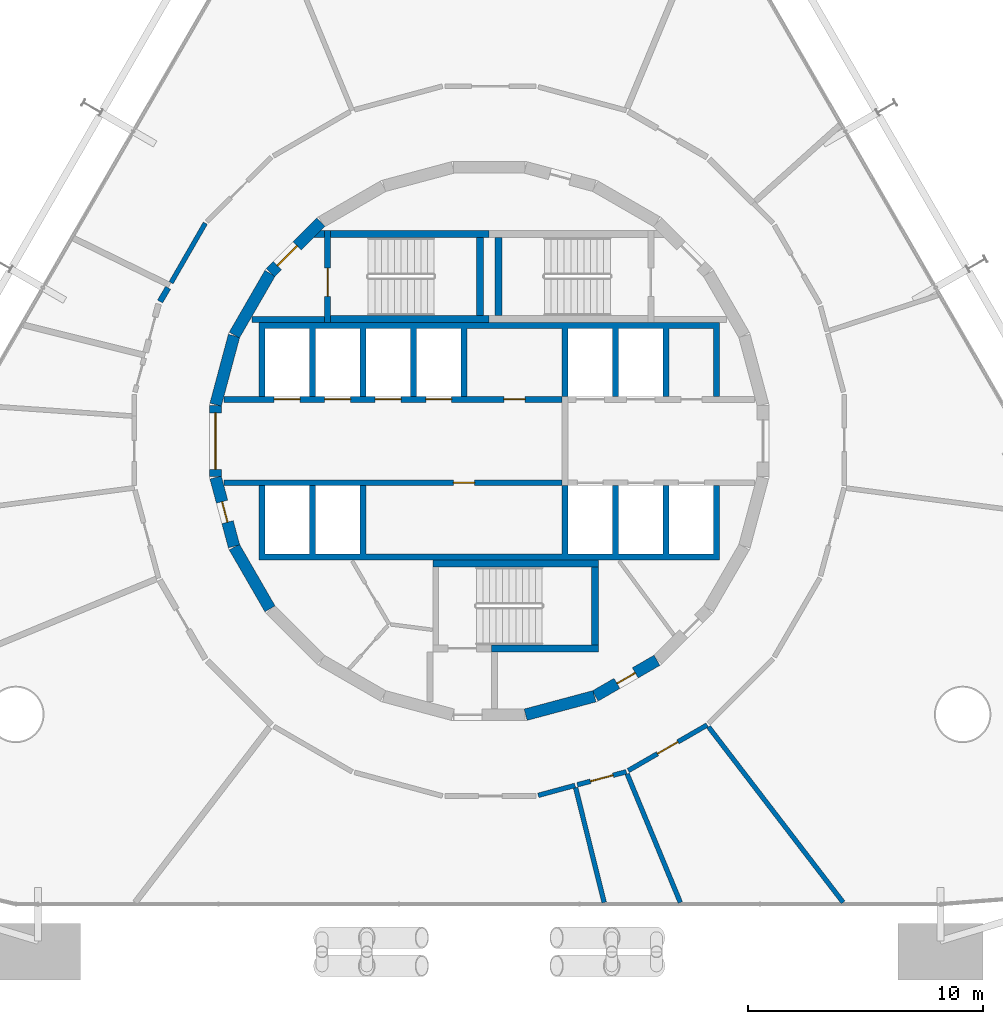
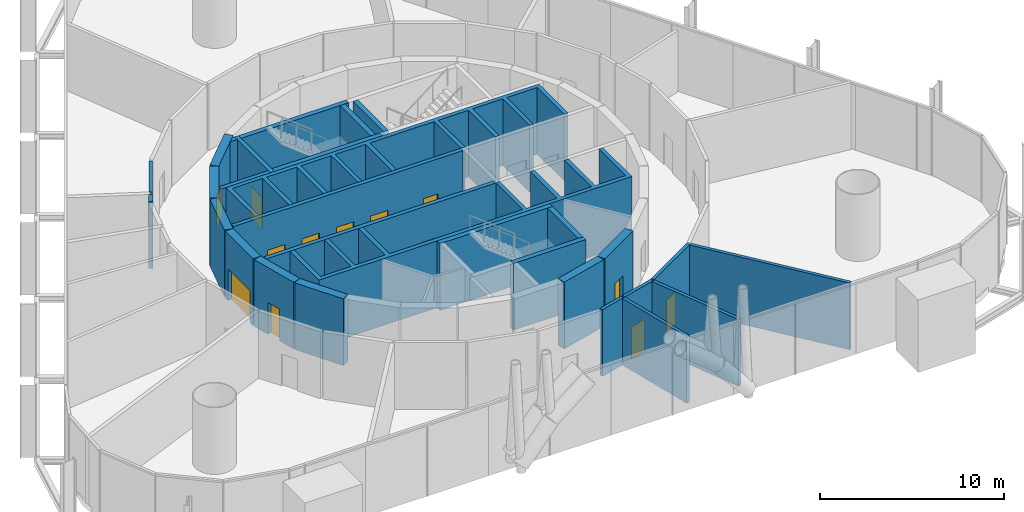
# One storey, part 14 of 17: 30 walls, 13 doors, 13 openings.
"""IFC4 building model written with IfcOpenShell, lengths in metres."""

from ifc_helpers import new_model, si_unit, direction, frame, frame_2d, origin, place, context, subcontext, project, spatial, polyline, rectangle, outline, extrude, material, layer, layer_set, type_object, element, fill, save


model = new_model("IFC4")

# Units and contexts
model_context = context("Model", 3, precision=1e-05, world=origin(), true_north=direction((0.0, 1.0)))
body_context = subcontext(model_context, "Body", "Model", "MODEL_VIEW")
ifc_project = project(units=[si_unit("LENGTHUNIT", "METRE"), si_unit("AREAUNIT", "SQUARE_METRE"), si_unit("VOLUMEUNIT", "CUBIC_METRE"), si_unit("PLANEANGLEUNIT", "RADIAN"), si_unit("MASSUNIT", "GRAM", prefix="KILO")], contexts=[model_context])

# Site, building, storey
site_placement = place(None, origin())
site = spatial("IfcSite", under=ifc_project, at=site_placement, CompositionType="ELEMENT")
building_placement = place(site_placement, origin())
building = spatial("IfcBuilding", under=site, at=building_placement, Name="Spindle Arch Residences", CompositionType="ELEMENT")
storey_placement = place(building_placement, frame((0.0, 0.0, 23.39990234375)))
storey = spatial("IfcBuildingStorey", under=building, at=storey_placement, Name="L04", CompositionType="ELEMENT", Elevation=23.39990234375)

# Wall
ifc_material_1 = material(Name="Concrete C50/60", Category="concrete")
ifc_layer_1 = layer(ifc_material_1, 0.5)
ifc_layer_set_1 = layer_set([ifc_layer_1], Name="Core outline wall 500")
wall_type_1 = type_object("IfcWallType", Name="Core outline wall 500", PredefinedType="SHEAR", material=ifc_layer_set_1)
wall_1_placement = place(storey_placement, frame((1.5498046875, -11.642822265625, 0.0), z_axis=(0.0, 0.0, 1.0), x_axis=(0.965948410781, 0.258734743916, 0.0)))
element("IfcWall", 1, at=wall_1_placement, inside=storey, type_object=wall_type_1, Name="Core outline wall 1", PredefinedType="SHEAR", context=body_context, shape_type="SweptSolid", body=[
    extrude(rectangle(XDim=3.03271484375, YDim=0.5, at=frame_2d((1.516357421875, 0.0))), origin(), (0.0, 0.0, 1.0), 4.420166015625),
])

# Wall, opening, door
wall_2_placement = place(storey_placement, frame((4.510498046875, -10.84521484375, 0.0), z_axis=(0.0, 0.0, 1.0), x_axis=(0.865975092491, 0.500087131594, 0.0)))
wall_2 = element("IfcWall", 2, at=wall_2_placement, inside=storey, type_object=wall_type_1, Name="Core outline wall 2", PredefinedType="SHEAR", context=body_context, shape_type="SweptSolid", body=[
    extrude(rectangle(XDim=3.03271484375, YDim=0.5, at=frame_2d((1.516357421875, 0.0))), origin(), (0.0, 0.0, 1.0), 4.420166015625),
])
opening_1_placement = place(wall_2_placement, frame((1.06640625, 0.0, 0.0)))
opening_1 = element("IfcOpeningElement", 3, at=opening_1_placement, cuts=wall_2, Name="Opening L04-WD06", PredefinedType="OPENING", context=body_context, shape_type="SweptSolid", body=[
    extrude(rectangle(XDim=0.89990234375, YDim=2.10009765625, at=frame_2d((0.449951171875, 1.050048828125))), frame((0.0, 0.260009765625, 0.0), z_axis=(0.0, -1.0, 0.0), x_axis=(1.0, 0.0, 0.0)), (0.0, 0.0, 1.0), 0.52001953125),
])
ifc_material_2 = material(Name="Steel, fire-resisting door", Category="steel")
door_type_1 = type_object("IfcDoorType", Name="Service room door 900x2100", OperationType="SINGLE_SWING_LEFT", PredefinedType="DOOR", material=ifc_material_2)
door_1_placement = place(opening_1_placement, origin())
door_1 = element("IfcDoor", 4, at=door_1_placement, inside=storey, type_object=door_type_1, Name="Service room door L04-WD06", OperationType="SINGLE_SWING_LEFT", OverallHeight=2.10009765625, OverallWidth=0.89990234375, PredefinedType="DOOR", context=body_context, shape_type="SweptSolid", body=[
    extrude(rectangle(XDim=0.89990234375, YDim=2.10009765625, at=frame_2d((0.449951171875, 1.050048828125))), frame((0.0, 0.02490234375, 0.0), z_axis=(0.0, -1.0, 0.0), x_axis=(1.0, 0.0, 0.0)), (0.0, 0.0, 1.0), 0.050048828125),
])
fill(opening_1, door_1)

wall_3_placement = place(storey_placement, frame((-7.163818359375, 9.30810546875, 0.0), z_axis=(0.0, 0.0, 1.0), x_axis=(-0.707106781187, -0.707106781187, 0.0)))
wall_3 = element("IfcWall", 5, at=wall_3_placement, inside=storey, type_object=wall_type_1, Name="Core outline wall 15", PredefinedType="SHEAR", context=body_context, shape_type="SweptSolid", body=[
    extrude(rectangle(XDim=3.032470703125, YDim=0.5, at=frame_2d((1.51611328125, 0.0))), origin(), (0.0, 0.0, 1.0), 4.420166015625),
])
opening_2_placement = place(wall_3_placement, frame((1.416259765625, 0.0, 0.0)))
opening_2 = element("IfcOpeningElement", 6, at=opening_2_placement, cuts=wall_3, Name="Opening L04-AD02", PredefinedType="OPENING", context=body_context, shape_type="SweptSolid", body=[
    extrude(rectangle(XDim=1.199951171875, YDim=2.10009765625, at=frame_2d((0.60009765625, 1.050048828125))), frame((0.0, 0.260009765625, 0.0), z_axis=(0.0, -1.0, 0.0), x_axis=(1.0, 0.0, 0.0)), (0.0, 0.0, 1.0), 0.52001953125),
])
ifc_material_3 = material(Name="Steel, fire-resisting door", Category="steel")
door_type_2 = type_object("IfcDoorType", Name="Stair airlock door 1200x2100", OperationType="SINGLE_SWING_LEFT", PredefinedType="DOOR", material=ifc_material_3)
door_2_placement = place(opening_2_placement, origin())
door_2 = element("IfcDoor", 7, at=door_2_placement, inside=storey, type_object=door_type_2, Name="Stair airlock door L04-AD02", OperationType="SINGLE_SWING_RIGHT", OverallHeight=2.10009765625, OverallWidth=1.199951171875, PredefinedType="DOOR", context=body_context, shape_type="SweptSolid", body=[
    extrude(rectangle(XDim=1.199951171875, YDim=2.10009765625, at=frame_2d((0.60009765625, 1.050048828125))), frame((0.0, 0.02490234375, 0.0), z_axis=(0.0, -1.0, 0.0), x_axis=(1.0, 0.0, 0.0)), (0.0, 0.0, 1.0), 0.050048828125),
])
fill(opening_2, door_2)

# Walls
for number, where, z_axis, x_axis, name in (
    (8, (-9.32861328125, 7.13671875, 0.0), (0.0, 0.0, 1.0), (-0.500087131594, -0.865975092491, 0.0), "Core outline wall 16"),
    (9, (-10.858154296875, 4.479248046875, 0.0), (0.0, 0.0, 1.0), (-0.258734743916, -0.965948410781, 0.0), "Core outline wall 17"),
):
    element("IfcWall", number, at=place(storey_placement, frame(where, z_axis=z_axis, x_axis=x_axis)), inside=storey, type_object=wall_type_1, Name=name, PredefinedType="SHEAR", context=body_context, shape_type="SweptSolid", body=[
        extrude(rectangle(XDim=3.03271484375, YDim=0.5, at=frame_2d((1.516357421875, 0.0))), origin(), (0.0, 0.0, 1.0), 4.420166015625),
    ])

# Wall, opening, door
wall_4_placement = place(storey_placement, frame((-11.647216796875, 1.516357421875, 0.0), z_axis=(0.0, 0.0, 1.0), x_axis=(0.0, -1.0, 0.0)))
wall_4 = element("IfcWall", 10, at=wall_4_placement, inside=storey, type_object=wall_type_1, Name="Core outline wall 18", PredefinedType="SHEAR", context=body_context, shape_type="SweptSolid", body=[
    extrude(rectangle(XDim=3.03271484375, YDim=0.5, at=frame_2d((1.516357421875, 0.0))), origin(), (0.0, 0.0, 1.0), 4.420166015625),
])
opening_3_placement = place(wall_4_placement, frame((0.31640625, 0.0, 0.0)))
opening_3 = element("IfcOpeningElement", 11, at=opening_3_placement, cuts=wall_4, Name="Opening L04-LE01", PredefinedType="OPENING", context=body_context, shape_type="SweptSolid", body=[
    extrude(rectangle(XDim=2.39990234375, YDim=2.10009765625, at=frame_2d((1.199951171875, 1.050048828125))), frame((0.0, 0.260009765625, 0.0), z_axis=(0.0, -1.0, 0.0), x_axis=(1.0, 0.0, 0.0)), (0.0, 0.0, 1.0), 0.52001953125),
])
ifc_material_4 = material(Name="Steel, fire-resisting door", Category="steel")
door_type_3 = type_object("IfcDoorType", Name="Lift lobby entrance door 2400x2100", OperationType="DOUBLE_DOOR_SINGLE_SWING", PredefinedType="DOOR", material=ifc_material_4)
door_3_placement = place(opening_3_placement, origin())
door_3 = element("IfcDoor", 12, at=door_3_placement, inside=storey, type_object=door_type_3, Name="Lift lobby entrance door L04-LE01", OperationType="DOUBLE_DOOR_SINGLE_SWING", OverallHeight=2.10009765625, OverallWidth=2.39990234375, PredefinedType="DOOR", context=body_context, shape_type="SweptSolid", body=[
    extrude(rectangle(XDim=2.39990234375, YDim=2.10009765625, at=frame_2d((1.199951171875, 1.050048828125))), frame((0.0, 0.02490234375, 0.0), z_axis=(0.0, -1.0, 0.0), x_axis=(1.0, 0.0, 0.0)), (0.0, 0.0, 1.0), 0.050048828125),
])
fill(opening_3, door_3)

wall_5_placement = place(storey_placement, frame((-11.642822265625, -1.5498046875, 0.0), z_axis=(0.0, 0.0, 1.0), x_axis=(0.258734743916, -0.965948410781, 0.0)))
wall_5 = element("IfcWall", 13, at=wall_5_placement, inside=storey, type_object=wall_type_1, Name="Core outline wall 19", PredefinedType="SHEAR", context=body_context, shape_type="SweptSolid", body=[
    extrude(rectangle(XDim=3.03271484375, YDim=0.5, at=frame_2d((1.516357421875, 0.0))), origin(), (0.0, 0.0, 1.0), 4.420166015625),
])
opening_4_placement = place(wall_5_placement, frame((1.06640625, 0.0, 0.0)))
opening_4 = element("IfcOpeningElement", 14, at=opening_4_placement, cuts=wall_5, Name="Opening L04-WD08", PredefinedType="OPENING", context=body_context, shape_type="SweptSolid", body=[
    extrude(rectangle(XDim=0.89990234375, YDim=2.10009765625, at=frame_2d((0.449951171875, 1.050048828125))), frame((0.0, 0.260009765625, 0.0), z_axis=(0.0, -1.0, 0.0), x_axis=(1.0, 0.0, 0.0)), (0.0, 0.0, 1.0), 0.52001953125),
])
door_4_placement = place(opening_4_placement, origin())
door_4 = element("IfcDoor", 15, at=door_4_placement, inside=storey, type_object=door_type_1, Name="Service room door L04-WD08", OperationType="SINGLE_SWING_LEFT", OverallHeight=2.10009765625, OverallWidth=0.89990234375, PredefinedType="DOOR", context=body_context, shape_type="SweptSolid", body=[
    extrude(rectangle(XDim=0.89990234375, YDim=2.10009765625, at=frame_2d((0.449951171875, 1.050048828125))), frame((0.0, 0.02490234375, 0.0), z_axis=(0.0, -1.0, 0.0), x_axis=(1.0, 0.0, 0.0)), (0.0, 0.0, 1.0), 0.050048828125),
])
fill(opening_4, door_4)

# Wall
wall_6_placement = place(storey_placement, frame((-10.84521484375, -4.510498046875, 0.0), z_axis=(0.0, 0.0, 1.0), x_axis=(0.500087131594, -0.865975092491, 0.0)))
element("IfcWall", 16, at=wall_6_placement, inside=storey, type_object=wall_type_1, Name="Core outline wall 20", PredefinedType="SHEAR", context=body_context, shape_type="SweptSolid", body=[
    extrude(rectangle(XDim=3.03271484375, YDim=0.5, at=frame_2d((1.516357421875, 0.0))), origin(), (0.0, 0.0, 1.0), 4.420166015625),
])

# Wall, openings, doors
ifc_material_5 = material(Name="Concrete C50/60", Category="concrete")
ifc_layer_2 = layer(ifc_material_5, 0.25)
ifc_layer_set_2 = layer_set([ifc_layer_2], Name="Lift shaft wall 250")
wall_type_2 = type_object("IfcWallType", Name="Lift shaft wall 250", PredefinedType="SHEAR", material=ifc_layer_set_2)
wall_7_placement = place(storey_placement, frame((-11.280029296875, 1.77490234375, 0.0), z_axis=(0.0, 0.0, 1.0), x_axis=(1.0, 0.0, 0.0)))
wall_7 = element("IfcWall", 17, at=wall_7_placement, inside=storey, type_object=wall_type_2, Name="Lift shaft front wall NW", PredefinedType="SHEAR", context=body_context, shape_type="SweptSolid", body=[
    extrude(rectangle(XDim=14.380126953125, YDim=0.25, at=frame_2d((7.18994140625, 0.0))), origin(), (0.0, 0.0, 1.0), 4.420166015625),
])
opening_5_placement = place(wall_7_placement, frame((2.1298828125, 0.0, 0.0)))
opening_5 = element("IfcOpeningElement", 18, at=opening_5_placement, cuts=wall_7, Name="Opening L04-LD01", PredefinedType="OPENING", context=body_context, shape_type="SweptSolid", body=[
    extrude(rectangle(XDim=1.10009765625, YDim=2.10009765625, at=frame_2d((0.550048828125, 1.050048828125))), frame((0.0, 0.135009765625, 0.0), z_axis=(0.0, -1.0, 0.0), x_axis=(1.0, 0.0, 0.0)), (0.0, 0.0, 1.0), 0.27001953125),
])
opening_6_placement = place(wall_7_placement, frame((4.280029296875, 0.0, 0.0)))
opening_6 = element("IfcOpeningElement", 19, at=opening_6_placement, cuts=wall_7, Name="Opening L04-LD02", PredefinedType="OPENING", context=body_context, shape_type="SweptSolid", body=[
    extrude(rectangle(XDim=1.10009765625, YDim=2.10009765625, at=frame_2d((0.550048828125, 1.050048828125))), frame((0.0, 0.135009765625, 0.0), z_axis=(0.0, -1.0, 0.0), x_axis=(1.0, 0.0, 0.0)), (0.0, 0.0, 1.0), 0.27001953125),
])
opening_7_placement = place(wall_7_placement, frame((6.429931640625, 0.0, 0.0)))
opening_7 = element("IfcOpeningElement", 20, at=opening_7_placement, cuts=wall_7, Name="Opening L04-LD03", PredefinedType="OPENING", context=body_context, shape_type="SweptSolid", body=[
    extrude(rectangle(XDim=1.10009765625, YDim=2.10009765625, at=frame_2d((0.550048828125, 1.050048828125))), frame((0.0, 0.135009765625, 0.0), z_axis=(0.0, -1.0, 0.0), x_axis=(1.0, 0.0, 0.0)), (0.0, 0.0, 1.0), 0.27001953125),
])
opening_8_placement = place(wall_7_placement, frame((8.580078125, 0.0, 0.0)))
opening_8 = element("IfcOpeningElement", 21, at=opening_8_placement, cuts=wall_7, Name="Opening L04-LD04", PredefinedType="OPENING", context=body_context, shape_type="SweptSolid", body=[
    extrude(rectangle(XDim=1.10009765625, YDim=2.10009765625, at=frame_2d((0.550048828125, 1.050048828125))), frame((0.0, 0.135009765625, 0.0), z_axis=(0.0, -1.0, 0.0), x_axis=(1.0, 0.0, 0.0)), (0.0, 0.0, 1.0), 0.27001953125),
])
opening_9_placement = place(wall_7_placement, frame((11.905029296875, 0.0, 0.0)))
opening_9 = element("IfcOpeningElement", 22, at=opening_9_placement, cuts=wall_7, Name="Opening L04-WD01", PredefinedType="OPENING", context=body_context, shape_type="SweptSolid", body=[
    extrude(rectangle(XDim=0.89990234375, YDim=2.10009765625, at=frame_2d((0.449951171875, 1.050048828125))), frame((0.0, 0.135009765625, 0.0), z_axis=(0.0, -1.0, 0.0), x_axis=(1.0, 0.0, 0.0)), (0.0, 0.0, 1.0), 0.27001953125),
])
ifc_material_6 = material(Name="Steel, fire-resisting landing door", Category="steel")
door_type_4 = type_object("IfcDoorType", Name="Lift landing door 1100x2100", OperationType="DOUBLE_DOOR_SLIDING", PredefinedType="DOOR", material=ifc_material_6)
door_5_placement = place(opening_5_placement, origin())
door_5 = element("IfcDoor", 23, at=door_5_placement, inside=storey, type_object=door_type_4, Name="Lift landing door L04-LD01", OperationType="DOUBLE_DOOR_SLIDING", OverallHeight=2.10009765625, OverallWidth=1.10009765625, PredefinedType="DOOR", context=body_context, shape_type="SweptSolid", body=[
    extrude(rectangle(XDim=1.10009765625, YDim=2.10009765625, at=frame_2d((0.550048828125, 1.050048828125))), frame((0.0, 0.02490234375, 0.0), z_axis=(0.0, -1.0, 0.0), x_axis=(1.0, 0.0, 0.0)), (0.0, 0.0, 1.0), 0.050048828125),
])
fill(opening_5, door_5)
door_6_placement = place(opening_6_placement, origin())
door_6 = element("IfcDoor", 24, at=door_6_placement, inside=storey, type_object=door_type_4, Name="Lift landing door L04-LD02", OperationType="DOUBLE_DOOR_SLIDING", OverallHeight=2.10009765625, OverallWidth=1.10009765625, PredefinedType="DOOR", context=body_context, shape_type="SweptSolid", body=[
    extrude(rectangle(XDim=1.10009765625, YDim=2.10009765625, at=frame_2d((0.550048828125, 1.050048828125))), frame((0.0, 0.02490234375, 0.0), z_axis=(0.0, -1.0, 0.0), x_axis=(1.0, 0.0, 0.0)), (0.0, 0.0, 1.0), 0.050048828125),
])
fill(opening_6, door_6)
door_7_placement = place(opening_7_placement, origin())
door_7 = element("IfcDoor", 25, at=door_7_placement, inside=storey, type_object=door_type_4, Name="Lift landing door L04-LD03", OperationType="DOUBLE_DOOR_SLIDING", OverallHeight=2.10009765625, OverallWidth=1.10009765625, PredefinedType="DOOR", context=body_context, shape_type="SweptSolid", body=[
    extrude(rectangle(XDim=1.10009765625, YDim=2.10009765625, at=frame_2d((0.550048828125, 1.050048828125))), frame((0.0, 0.02490234375, 0.0), z_axis=(0.0, -1.0, 0.0), x_axis=(1.0, 0.0, 0.0)), (0.0, 0.0, 1.0), 0.050048828125),
])
fill(opening_7, door_7)
door_8_placement = place(opening_8_placement, origin())
door_8 = element("IfcDoor", 26, at=door_8_placement, inside=storey, type_object=door_type_4, Name="Lift landing door L04-LD04", OperationType="DOUBLE_DOOR_SLIDING", OverallHeight=2.10009765625, OverallWidth=1.10009765625, PredefinedType="DOOR", context=body_context, shape_type="SweptSolid", body=[
    extrude(rectangle(XDim=1.10009765625, YDim=2.10009765625, at=frame_2d((0.550048828125, 1.050048828125))), frame((0.0, 0.02490234375, 0.0), z_axis=(0.0, -1.0, 0.0), x_axis=(1.0, 0.0, 0.0)), (0.0, 0.0, 1.0), 0.050048828125),
])
fill(opening_8, door_8)
door_9_placement = place(opening_9_placement, origin())
door_9 = element("IfcDoor", 27, at=door_9_placement, inside=storey, type_object=door_type_1, Name="Service room door L04-WD01", OperationType="SINGLE_SWING_RIGHT", OverallHeight=2.10009765625, OverallWidth=0.89990234375, PredefinedType="DOOR", context=body_context, shape_type="SweptSolid", body=[
    extrude(rectangle(XDim=0.89990234375, YDim=2.10009765625, at=frame_2d((0.449951171875, 1.050048828125))), frame((0.0, 0.02490234375, 0.0), z_axis=(0.0, -1.0, 0.0), x_axis=(1.0, 0.0, 0.0)), (0.0, 0.0, 1.0), 0.050048828125),
])
fill(opening_9, door_9)

# Wall, opening, door
wall_8_placement = place(storey_placement, frame((-11.280029296875, -1.77490234375, 0.0), z_axis=(0.0, 0.0, 1.0), x_axis=(1.0, 0.0, 0.0)))
wall_8 = element("IfcWall", 28, at=wall_8_placement, inside=storey, type_object=wall_type_2, Name="Lift shaft front wall SW", PredefinedType="SHEAR", context=body_context, shape_type="SweptSolid", body=[
    extrude(rectangle(XDim=14.380126953125, YDim=0.25, at=frame_2d((7.18994140625, 0.0))), origin(), (0.0, 0.0, 1.0), 4.420166015625),
])
opening_10_placement = place(wall_8_placement, frame((9.7548828125, 0.0, 0.0)))
opening_10 = element("IfcOpeningElement", 29, at=opening_10_placement, cuts=wall_8, Name="Opening L04-WD03", PredefinedType="OPENING", context=body_context, shape_type="SweptSolid", body=[
    extrude(rectangle(XDim=0.89990234375, YDim=2.10009765625, at=frame_2d((0.449951171875, 1.050048828125))), frame((0.0, 0.135009765625, 0.0), z_axis=(0.0, -1.0, 0.0), x_axis=(1.0, 0.0, 0.0)), (0.0, 0.0, 1.0), 0.27001953125),
])
door_10_placement = place(opening_10_placement, origin())
door_10 = element("IfcDoor", 30, at=door_10_placement, inside=storey, type_object=door_type_1, Name="Service room door L04-WD03", OperationType="SINGLE_SWING_RIGHT", OverallHeight=2.10009765625, OverallWidth=0.89990234375, PredefinedType="DOOR", context=body_context, shape_type="SweptSolid", body=[
    extrude(rectangle(XDim=0.89990234375, YDim=2.10009765625, at=frame_2d((0.449951171875, 1.050048828125))), frame((0.0, 0.02490234375, 0.0), z_axis=(0.0, -1.0, 0.0), x_axis=(1.0, 0.0, 0.0)), (0.0, 0.0, 1.0), 0.050048828125),
])
fill(opening_10, door_10)

# Walls
ifc_material_7 = material(Name="Concrete C50/60", Category="concrete")
wall_type_3 = type_object("IfcWallType", Name="Lift shaft wall profile", PredefinedType="SHEAR", material=ifc_material_7)
wall_9_placement = place(storey_placement, origin())
element("IfcWall", 31, at=wall_9_placement, inside=storey, type_object=wall_type_3, Name="Lift shaft walls N", PredefinedType="SHEAR", context=body_context, shape_type="SweptSolid", body=[
    extrude(outline(polyline([(-9.550048828125, 4.800048828125), (-7.64990234375, 4.800048828125), (-7.64990234375, 1.89990234375), (-7.39990234375, 1.89990234375), (-7.39990234375, 4.800048828125), (-5.5, 4.800048828125), (-5.5, 1.89990234375), (-5.25, 1.89990234375), (-5.25, 4.800048828125), (-3.35009765625, 4.800048828125), (-3.35009765625, 1.89990234375), (-3.10009765625, 1.89990234375), (-3.10009765625, 4.800048828125), (-1.199951171875, 4.800048828125), (-1.199951171875, 1.89990234375), (-0.949951171875, 1.89990234375), (-0.949951171875, 4.800048828125), (3.10009765625, 4.800048828125), (3.10009765625, 1.89990234375), (3.35009765625, 1.89990234375), (3.35009765625, 4.800048828125), (5.25, 4.800048828125), (5.25, 1.89990234375), (5.5, 1.89990234375), (5.5, 4.800048828125), (7.39990234375, 4.800048828125), (7.39990234375, 1.89990234375), (7.64990234375, 1.89990234375), (7.64990234375, 4.800048828125), (9.550048828125, 4.800048828125), (9.550048828125, 1.89990234375), (9.800048828125, 1.89990234375), (9.800048828125, 4.800048828125), (9.800048828125, 5.050048828125), (-9.800048828125, 5.050048828125), (-9.800048828125, 4.800048828125), (-9.800048828125, 1.89990234375), (-9.550048828125, 1.89990234375), (-9.550048828125, 4.800048828125)])), origin(), (0.0, 0.0, 1.0), 4.420166015625),
])
wall_10_placement = place(storey_placement, origin())
element("IfcWall", 32, at=wall_10_placement, inside=storey, type_object=wall_type_3, Name="Lift shaft walls S", PredefinedType="SHEAR", context=body_context, shape_type="SweptSolid", body=[
    extrude(outline(polyline([(9.800048828125, -5.050048828125), (9.800048828125, -4.800048828125), (9.800048828125, -1.89990234375), (9.550048828125, -1.89990234375), (9.550048828125, -4.800048828125), (7.64990234375, -4.800048828125), (7.64990234375, -1.89990234375), (7.39990234375, -1.89990234375), (7.39990234375, -4.800048828125), (5.5, -4.800048828125), (5.5, -1.89990234375), (5.25, -1.89990234375), (5.25, -4.800048828125), (3.35009765625, -4.800048828125), (3.35009765625, -1.89990234375), (3.10009765625, -1.89990234375), (3.10009765625, -4.800048828125), (-5.25, -4.800048828125), (-5.25, -1.89990234375), (-5.5, -1.89990234375), (-5.5, -4.800048828125), (-7.39990234375, -4.800048828125), (-7.39990234375, -1.89990234375), (-7.64990234375, -1.89990234375), (-7.64990234375, -4.800048828125), (-9.550048828125, -4.800048828125), (-9.550048828125, -1.89990234375), (-9.800048828125, -1.89990234375), (-9.800048828125, -4.800048828125), (-9.800048828125, -5.050048828125), (9.800048828125, -5.050048828125)])), origin(), (0.0, 0.0, 1.0), 4.420166015625),
])
ifc_material_8 = material(Name="Concrete C25/30 wall", Category="concrete")
ifc_layer_3 = layer(ifc_material_8, 0.25)
ifc_layer_set_3 = layer_set([ifc_layer_3], Name="Partition EI 120 250 store")
wall_type_4 = type_object("IfcWallType", Name="Partition EI 120 250 store", PredefinedType="PARTITIONING", material=ifc_layer_set_3)
wall_11_placement = place(storey_placement, frame((-13.663330078125, 6.522216796875, 0.0), z_axis=(0.0, 0.0, 1.0), x_axis=(-0.506421854576, -0.862285860494, 0.0)))
element("IfcWall", 33, at=wall_11_placement, inside=storey, type_object=wall_type_4, Name="L04-W012", PredefinedType="PARTITIONING", context=body_context, shape_type="SweptSolid", body=[
    extrude(rectangle(XDim=0.677734375, YDim=0.25, at=frame_2d((0.3388671875, 0.0))), origin(), (0.0, 0.0, 1.0), 4.420166015625),
])
ifc_material_9 = material(Name="Gypsum board partition on steel studs", Category="steel")
ifc_layer_4 = layer(ifc_material_9, 0.199951171875)
ifc_layer_set_4 = layer_set([ifc_layer_4], Name="Partition EI 60 200 amenity")
wall_type_5 = type_object("IfcWallType", Name="Partition EI 60 200 amenity", PredefinedType="PARTITIONING", material=ifc_layer_set_4)
wall_12_placement = place(storey_placement, frame((-12.080078125, 9.27001953125, 0.0), z_axis=(0.0, 0.0, 1.0), x_axis=(-0.498926404598, -0.866644357736, 0.0)))
element("IfcWall", 34, at=wall_12_placement, inside=storey, type_object=wall_type_5, Name="L04-W014", PredefinedType="PARTITIONING", context=body_context, shape_type="SweptSolid", body=[
    extrude(rectangle(XDim=2.92138671875, YDim=0.199951171875, at=frame_2d((1.460693359375, 0.0))), origin(), (0.0, 0.0, 1.0), 4.420166015625),
])
wall_13_placement = place(storey_placement, frame((2.08642578125, -15.07373046875, 0.0), z_axis=(0.0, 0.0, 1.0), x_axis=(0.965166134243, 0.261637790295, 0.0)))
element("IfcWall", 35, at=wall_13_placement, inside=storey, type_object=wall_type_5, Name="L04-W023", PredefinedType="PARTITIONING", context=body_context, shape_type="SweptSolid", body=[
    extrude(rectangle(XDim=1.619873046875, YDim=0.199951171875, at=frame_2d((0.81005859375, 0.0))), origin(), (0.0, 0.0, 1.0), 4.420166015625),
])
wall_14_placement = place(storey_placement, frame((3.674072265625, -14.7470703125, 0.0), z_axis=(0.0, 0.0, 1.0), x_axis=(0.241622227784, -0.970370392706, 0.0)))
element("IfcWall", 36, at=wall_14_placement, inside=storey, type_object=wall_type_5, Name="L04-W025", PredefinedType="PARTITIONING", context=body_context, shape_type="SweptSolid", body=[
    extrude(rectangle(XDim=5.031982421875, YDim=0.199951171875, at=frame_2d((2.51611328125, 0.0))), origin(), (0.0, 0.0, 1.0), 4.420166015625),
])

# Wall, opening, door
wall_15_placement = place(storey_placement, frame((3.74658203125, -14.624267578125, 0.0), z_axis=(0.0, 0.0, 1.0), x_axis=(0.966396387697, 0.257056456535, 0.0)))
wall_15 = element("IfcWall", 37, at=wall_15_placement, inside=storey, type_object=wall_type_5, Name="L04-W026", PredefinedType="PARTITIONING", context=body_context, shape_type="SweptSolid", body=[
    extrude(rectangle(XDim=2.156005859375, YDim=0.199951171875, at=frame_2d((1.078125, 0.0))), origin(), (0.0, 0.0, 1.0), 4.420166015625),
])
opening_11_placement = place(wall_15_placement, frame((0.577880859375, 0.0, 0.0)))
opening_11 = element("IfcOpeningElement", 38, at=opening_11_placement, cuts=wall_15, Name="Opening L04-D01", PredefinedType="OPENING", context=body_context, shape_type="SweptSolid", body=[
    extrude(rectangle(XDim=1.0, YDim=2.10009765625, at=frame_2d((0.5, 1.050048828125))), frame((0.0, 0.10986328125, 0.0), z_axis=(0.0, -1.0, 0.0), x_axis=(1.0, 0.0, 0.0)), (0.0, 0.0, 1.0), 0.219970703125),
])
ifc_material_10 = material(Name="Timber door leaf", Category="wood")
door_type_5 = type_object("IfcDoorType", Name="Door 1000x2100 EI 30", OperationType="SINGLE_SWING_LEFT", PredefinedType="DOOR", material=ifc_material_10)
door_11_placement = place(opening_11_placement, origin())
door_11 = element("IfcDoor", 39, at=door_11_placement, inside=storey, type_object=door_type_5, Name="L04-D01", OperationType="SINGLE_SWING_LEFT", OverallHeight=2.10009765625, OverallWidth=1.0, PredefinedType="DOOR", context=body_context, shape_type="SweptSolid", body=[
    extrude(rectangle(XDim=1.0, YDim=2.10009765625, at=frame_2d((0.5, 1.050048828125))), frame((0.0, 0.02490234375, 0.0), z_axis=(0.0, -1.0, 0.0), x_axis=(1.0, 0.0, 0.0)), (0.0, 0.0, 1.0), 0.050048828125),
])
fill(opening_11, door_11)

# Wall
wall_16_placement = place(storey_placement, frame((5.8681640625, -14.162353515625, 0.0), z_axis=(0.0, 0.0, 1.0), x_axis=(0.382249745869, -0.924059052108, 0.0)))
element("IfcWall", 40, at=wall_16_placement, inside=storey, type_object=wall_type_5, Name="L04-W027", PredefinedType="PARTITIONING", context=body_context, shape_type="SweptSolid", body=[
    extrude(rectangle(XDim=5.916748046875, YDim=0.199951171875, at=frame_2d((2.95849609375, 0.0))), origin(), (0.0, 0.0, 1.0), 4.420166015625),
])

# Wall, opening, door
wall_17_placement = place(storey_placement, frame((5.91650390625, -14.02001953125, 0.0), z_axis=(0.0, 0.0, 1.0), x_axis=(0.865601686425, 0.500733182901, 0.0)))
wall_17 = element("IfcWall", 41, at=wall_17_placement, inside=storey, type_object=wall_type_5, Name="L04-W028", PredefinedType="PARTITIONING", context=body_context, shape_type="SweptSolid", body=[
    extrude(rectangle(XDim=3.874267578125, YDim=0.199951171875, at=frame_2d((1.93701171875, 0.0))), origin(), (0.0, 0.0, 1.0), 4.420166015625),
])
opening_12_placement = place(wall_17_placement, frame((1.43701171875, 0.0, 0.0)))
opening_12 = element("IfcOpeningElement", 42, at=opening_12_placement, cuts=wall_17, Name="Opening L04-D03", PredefinedType="OPENING", context=body_context, shape_type="SweptSolid", body=[
    extrude(rectangle(XDim=1.0, YDim=2.10009765625, at=frame_2d((0.5, 1.050048828125))), frame((0.0, 0.10986328125, 0.0), z_axis=(0.0, -1.0, 0.0), x_axis=(1.0, 0.0, 0.0)), (0.0, 0.0, 1.0), 0.219970703125),
])
door_12_placement = place(opening_12_placement, origin())
door_12 = element("IfcDoor", 43, at=door_12_placement, inside=storey, type_object=door_type_5, Name="L04-D03", OperationType="SINGLE_SWING_LEFT", OverallHeight=2.10009765625, OverallWidth=1.0, PredefinedType="DOOR", context=body_context, shape_type="SweptSolid", body=[
    extrude(rectangle(XDim=1.0, YDim=2.10009765625, at=frame_2d((0.5, 1.050048828125))), frame((0.0, 0.02490234375, 0.0), z_axis=(0.0, -1.0, 0.0), x_axis=(1.0, 0.0, 0.0)), (0.0, 0.0, 1.0), 0.050048828125),
])
fill(opening_12, door_12)

# Walls
wall_18_placement = place(storey_placement, frame((9.330810546875, -12.159423828125, 0.0), z_axis=(0.0, 0.0, 1.0), x_axis=(0.608558385637, -0.793509099677, 0.0)))
element("IfcWall", 44, at=wall_18_placement, inside=storey, type_object=wall_type_5, Name="L04-W031", PredefinedType="PARTITIONING", context=body_context, shape_type="SweptSolid", body=[
    extrude(rectangle(XDim=9.41455078125, YDim=0.199951171875, at=frame_2d((4.707275390625, 0.0))), origin(), (0.0, 0.0, 1.0), 4.420166015625),
])
ifc_material_11 = material(Name="Concrete C40/50", Category="concrete")
ifc_layer_5 = layer(ifc_material_11, 0.25)
ifc_layer_set_5 = layer_set([ifc_layer_5], Name="Stair airlock wall 250")
wall_type_6 = type_object("IfcWallType", Name="Stair airlock wall 250", PredefinedType="SHEAR", material=ifc_layer_set_5)
wall_19_placement = place(storey_placement, frame((-7.0, 5.175048828125, 0.0), z_axis=(0.0, 0.0, 1.0), x_axis=(-1.0, 0.0, 0.0)))
element("IfcWall", 45, at=wall_19_placement, inside=storey, type_object=wall_type_6, Name="Stair ST-2 airlock wall S", PredefinedType="SHEAR", context=body_context, shape_type="SweptSolid", body=[
    extrude(rectangle(XDim=3.10009765625, YDim=0.25, at=frame_2d((1.550048828125, 0.0))), origin(), (0.0, 0.0, 1.0), 4.420166015625),
])
ifc_material_12 = material(Name="Concrete C40/50", Category="concrete")
wall_type_7 = type_object("IfcWallType", Name="Stair airlock wall profile", PredefinedType="SHEAR", material=ifc_material_12)
wall_20_placement = place(storey_placement, origin())
element("IfcWall", 46, at=wall_20_placement, inside=storey, type_object=wall_type_7, Name="Stair ST-2 airlock wall N", PredefinedType="SHEAR", context=body_context, shape_type="SweptSolid", body=[
    extrude(outline(polyline([(-7.148193359375, 8.969970703125), (-7.0, 8.969970703125), (-7.0, 8.669921875), (-7.4482421875, 8.669921875), (-7.148193359375, 8.969970703125)])), origin(), (0.0, 0.0, 1.0), 4.420166015625),
])

# Wall, opening, door
ifc_material_13 = material(Name="Concrete C50/60", Category="concrete")
ifc_layer_6 = layer(ifc_material_13, 0.25)
ifc_layer_set_6 = layer_set([ifc_layer_6], Name="Stair enclosure wall 250")
wall_type_8 = type_object("IfcWallType", Name="Stair enclosure wall 250", PredefinedType="SHEAR", material=ifc_layer_set_6)
wall_21_placement = place(storey_placement, frame((-6.875, 8.969970703125, 0.0), z_axis=(0.0, 0.0, 1.0), x_axis=(0.0, -1.0, 0.0)))
wall_21 = element("IfcWall", 47, at=wall_21_placement, inside=storey, type_object=wall_type_8, Name="Stair ST-2 door wall", PredefinedType="SHEAR", context=body_context, shape_type="SweptSolid", body=[
    extrude(rectangle(XDim=3.919921875, YDim=0.25, at=frame_2d((1.9599609375, 0.0))), origin(), (0.0, 0.0, 1.0), 4.420166015625),
])
opening_13_placement = place(wall_21_placement, frame((1.610107421875, 0.0, 0.0)))
opening_13 = element("IfcOpeningElement", 48, at=opening_13_placement, cuts=wall_21, Name="Opening L04-SD02", PredefinedType="OPENING", context=body_context, shape_type="SweptSolid", body=[
    extrude(rectangle(XDim=1.199951171875, YDim=2.10009765625, at=frame_2d((0.60009765625, 1.050048828125))), frame((0.0, 0.135009765625, 0.0), z_axis=(0.0, -1.0, 0.0), x_axis=(1.0, 0.0, 0.0)), (0.0, 0.0, 1.0), 0.27001953125),
])
ifc_material_14 = material(Name="Steel, fire-resisting door", Category="steel")
door_type_6 = type_object("IfcDoorType", Name="Stair door 1200x2100", OperationType="SINGLE_SWING_RIGHT", PredefinedType="DOOR", material=ifc_material_14)
door_13_placement = place(opening_13_placement, origin())
door_13 = element("IfcDoor", 49, at=door_13_placement, inside=storey, type_object=door_type_6, Name="Stair door L04-SD02", OperationType="SINGLE_SWING_LEFT", OverallHeight=2.10009765625, OverallWidth=1.199951171875, PredefinedType="DOOR", context=body_context, shape_type="SweptSolid", body=[
    extrude(rectangle(XDim=1.199951171875, YDim=2.10009765625, at=frame_2d((0.60009765625, 1.050048828125))), frame((0.0, 0.02490234375, 0.0), z_axis=(0.0, -1.0, 0.0), x_axis=(1.0, 0.0, 0.0)), (0.0, 0.0, 1.0), 0.050048828125),
])
fill(opening_13, door_13)

# Walls
ifc_material_15 = material(Name="Concrete C50/60", Category="concrete")
ifc_layer_7 = layer(ifc_material_15, 0.300048828125)
ifc_layer_set_7 = layer_set([ifc_layer_7], Name="Stair enclosure wall 300")
wall_type_9 = type_object("IfcWallType", Name="Stair enclosure wall 300", PredefinedType="SHEAR", material=ifc_layer_set_7)
wall_22_placement = place(storey_placement, frame((0.39990234375, 5.35009765625, 0.0), z_axis=(0.0, 0.0, 1.0), x_axis=(0.0, 1.0, 0.0)))
element("IfcWall", 50, at=wall_22_placement, inside=storey, type_object=wall_type_9, Name="Stair ST-1 enclosure wall F", PredefinedType="SHEAR", context=body_context, shape_type="SweptSolid", body=[
    extrude(rectangle(XDim=3.31982421875, YDim=0.300048828125, at=frame_2d((1.659912109375, 0.0))), origin(), (0.0, 0.0, 1.0), 4.420166015625),
])
for number, where, z_axis, x_axis, name in (
    (51, (-6.75, 5.199951171875, 0.0), (0.0, 0.0, 1.0), (1.0, 0.0, 0.0), "Stair ST-2 enclosure wall S"),
    (52, (-6.75, 8.820068359375, 0.0), (0.0, 0.0, 1.0), (1.0, 0.0, 0.0), "Stair ST-2 enclosure wall N"),
):
    element("IfcWall", number, at=place(storey_placement, frame(where, z_axis=z_axis, x_axis=x_axis)), inside=storey, type_object=wall_type_9, Name=name, PredefinedType="SHEAR", context=body_context, shape_type="SweptSolid", body=[
        extrude(rectangle(XDim=6.75, YDim=0.300048828125, at=frame_2d((3.375, 0.0))), origin(), (0.0, 0.0, 1.0), 4.420166015625),
    ])
wall_23_placement = place(storey_placement, frame((-0.39990234375, 5.35009765625, 0.0), z_axis=(0.0, 0.0, 1.0), x_axis=(0.0, 1.0, 0.0)))
element("IfcWall", 53, at=wall_23_placement, inside=storey, type_object=wall_type_9, Name="Stair ST-2 enclosure wall F", PredefinedType="SHEAR", context=body_context, shape_type="SweptSolid", body=[
    extrude(rectangle(XDim=3.31982421875, YDim=0.300048828125, at=frame_2d((1.659912109375, 0.0))), origin(), (0.0, 0.0, 1.0), 4.420166015625),
])
wall_24_placement = place(storey_placement, frame((-2.39990234375, -5.199951171875, 0.0), z_axis=(0.0, 0.0, 1.0), x_axis=(1.0, 0.0, 0.0)))
element("IfcWall", 54, at=wall_24_placement, inside=storey, type_object=wall_type_9, Name="Stair ST-3 enclosure wall N", PredefinedType="SHEAR", context=body_context, shape_type="SweptSolid", body=[
    extrude(rectangle(XDim=7.0498046875, YDim=0.300048828125, at=frame_2d((3.52490234375, 0.0))), origin(), (0.0, 0.0, 1.0), 4.420166015625),
])
wall_25_placement = place(storey_placement, frame((4.5, -8.669921875, 0.0), z_axis=(0.0, 0.0, 1.0), x_axis=(0.0, 1.0, 0.0)))
element("IfcWall", 55, at=wall_25_placement, inside=storey, type_object=wall_type_9, Name="Stair ST-3 enclosure wall E", PredefinedType="SHEAR", context=body_context, shape_type="SweptSolid", body=[
    extrude(rectangle(XDim=3.31982421875, YDim=0.300048828125, at=frame_2d((1.659912109375, 0.0))), origin(), (0.0, 0.0, 1.0), 4.420166015625),
])
wall_26_placement = place(storey_placement, frame((0.10009765625, -8.820068359375, 0.0), z_axis=(0.0, 0.0, 1.0), x_axis=(1.0, 0.0, 0.0)))
element("IfcWall", 56, at=wall_26_placement, inside=storey, type_object=wall_type_9, Name="Stair ST-3 enclosure wall S", PredefinedType="SHEAR", context=body_context, shape_type="SweptSolid", body=[
    extrude(rectangle(XDim=4.5498046875, YDim=0.300048828125, at=frame_2d((2.27490234375, 0.0))), origin(), (0.0, 0.0, 1.0), 4.420166015625),
])

save(model, "model.ifc")
